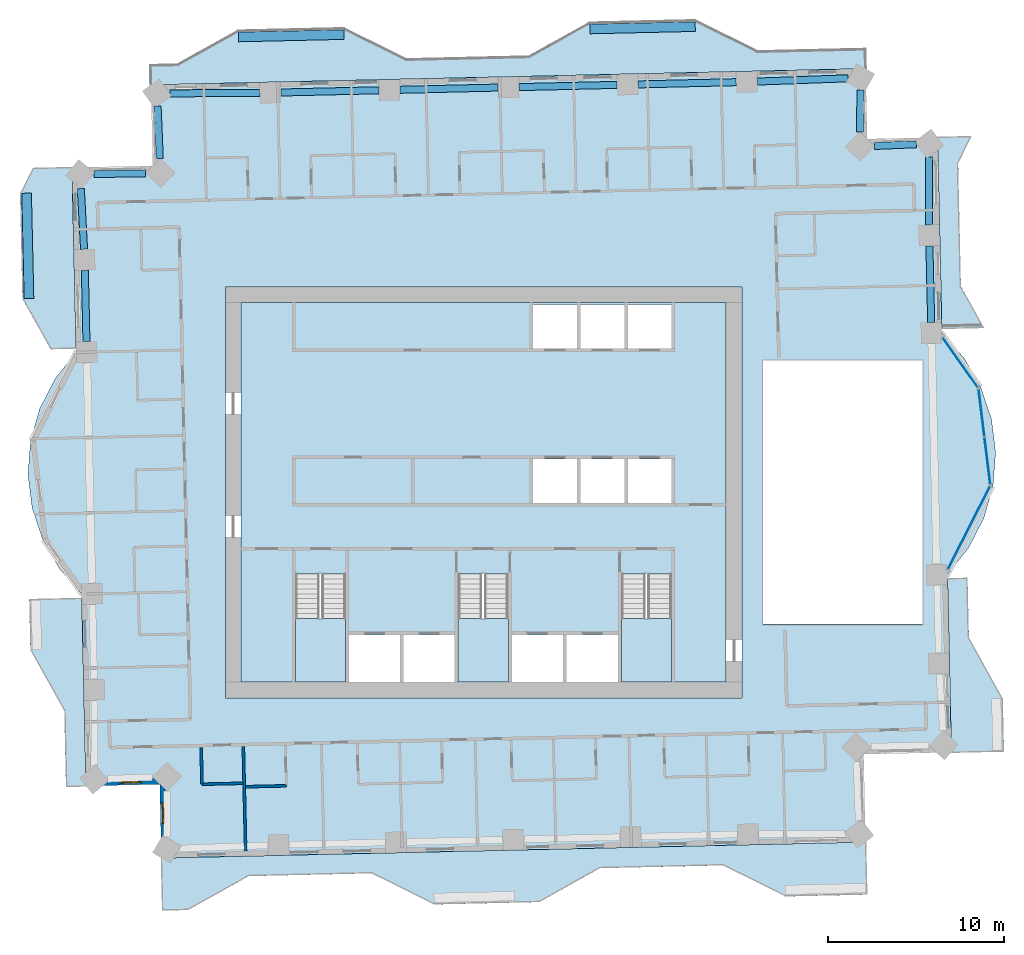
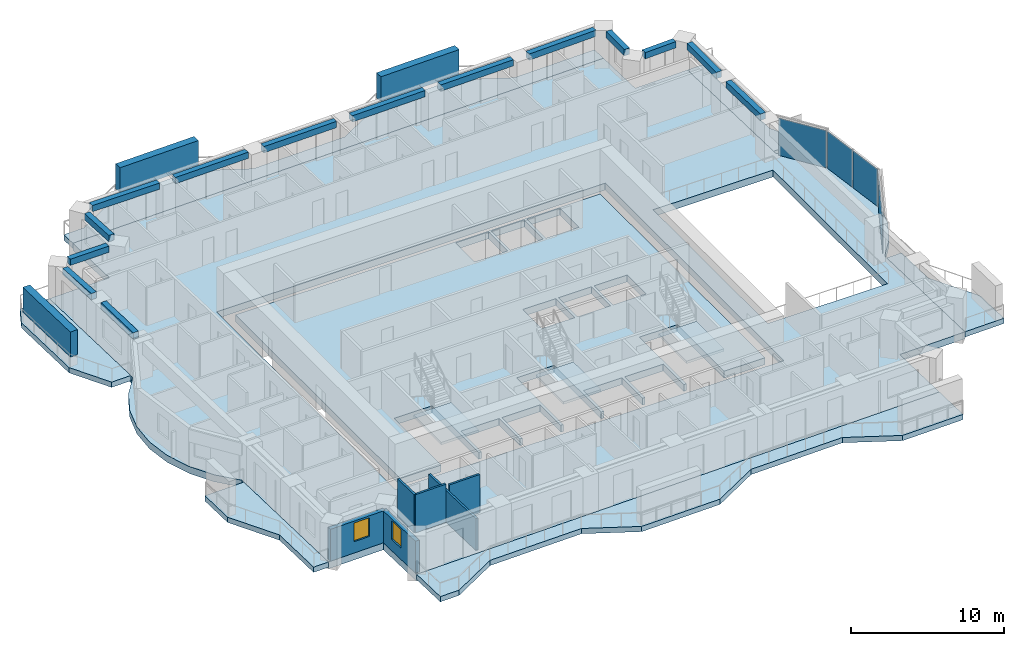
# One storey, part 3 of 14: 14 beams, 11 slabs, 6 walls, 4 plates, 3 members, 2 windows, 2 openings, 6 elements without a shape of their own.
"""IFC4 building model written with IfcOpenShell, lengths in metres."""

from ifc_helpers import new_model, si_unit, direction, frame, frame_2d, origin, origin_2d, place, context, subcontext, project, spatial, polyline, rectangle, outline, extrude, material, layer, layer_set, material_profile, profile_set, type_object, element, fill, aggregate, save


model = new_model("IFC4")

# Units and contexts
model_context = context("Model", 3, precision=1e-05, world=origin(), true_north=direction((0.0, 1.0)))
body_context = subcontext(model_context, "Body", "Model", "MODEL_VIEW")
ifc_project = project(units=[si_unit("LENGTHUNIT", "METRE"), si_unit("AREAUNIT", "SQUARE_METRE"), si_unit("VOLUMEUNIT", "CUBIC_METRE"), si_unit("PLANEANGLEUNIT", "RADIAN"), si_unit("MASSUNIT", "GRAM", prefix="KILO")], contexts=[model_context])

# Site, building, storey
site_placement = place(None, origin())
site = spatial("IfcSite", under=ifc_project, at=site_placement, CompositionType="ELEMENT")
building_placement = place(site_placement, origin())
building = spatial("IfcBuilding", under=site, at=building_placement, Name="Mangrove Gate Tower", CompositionType="ELEMENT")
storey_placement = place(building_placement, frame((0.0, 0.0, 186.10009765625)))
storey = spatial("IfcBuildingStorey", under=building, at=storey_placement, Name="L47", CompositionType="ELEMENT", Elevation=186.10009765625)

# Members
ifc_material_1 = material(Name="Planting on aluminium trellis", Category="aluminium")
ifc_material_profile_1 = material_profile(ifc_material_1, rectangle(XDim=0.550048828125, YDim=2.0, at=origin_2d()))
ifc_profile_set_1 = profile_set([ifc_material_profile_1], Name="Planting on aluminium trellis")
member_type = type_object("IfcMemberType", Name="Balcony greenery screen 550x2000", PredefinedType="USERDEFINED", material=ifc_profile_set_1)
member_1_placement = place(storey_placement, frame((6.0400390625, 26.3720703125, 1.7998046875), z_axis=(0.999743094499, 0.022665943652, 0.0), x_axis=(-0.022665943652, 0.999743094499, 0.0)))
element("IfcMember", 1, at=member_1_placement, inside=storey, type_object=member_type, Name="GREEN SCREEN L47 N0.1", ObjectType="PLANTING", PredefinedType="USERDEFINED", context=body_context, shape_type="SweptSolid", body=[
    extrude(rectangle(XDim=0.550048828125, YDim=2.0, at=origin_2d()), origin(), (0.0, 0.0, 1.0), 5.99951171875),
])
member_2_placement = place(storey_placement, frame((-13.955078125, 25.91796875, 1.7998046875), z_axis=(0.999743178102, 0.022662255828, 0.0), x_axis=(-0.022662255828, 0.999743178102, 0.0)))
element("IfcMember", 2, at=member_2_placement, inside=storey, type_object=member_type, Name="GREEN SCREEN L47 N1.1", ObjectType="PLANTING", PredefinedType="USERDEFINED", context=body_context, shape_type="SweptSolid", body=[
    extrude(rectangle(XDim=0.550048828125, YDim=2.0, at=origin_2d()), origin(), (0.0, 0.0, 1.0), 6.00048828125),
])
member_3_placement = place(storey_placement, frame((-25.875, 11.029052734375, 1.7998046875), z_axis=(-0.022665943652, 0.999743094499, 0.0), x_axis=(-0.999743094499, -0.022665943652, 0.0)))
element("IfcMember", 3, at=member_3_placement, inside=storey, type_object=member_type, Name="GREEN SCREEN L47 W0.1", ObjectType="PLANTING", PredefinedType="USERDEFINED", context=body_context, shape_type="SweptSolid", body=[
    extrude(rectangle(XDim=0.550048828125, YDim=2.0, at=origin_2d()), origin(), (0.0, 0.0, 1.0), 5.99951171875),
])

# Beams
ifc_material_2 = material(Name="Concrete C50/60", Category="concrete")
ifc_material_profile_2 = material_profile(ifc_material_2, rectangle(XDim=0.39990234375, YDim=0.5, at=origin_2d()))
ifc_profile_set_2 = profile_set([ifc_material_profile_2], Name="Concrete C50/60")
beam_type = type_object("IfcBeamType", Name="Edge beam RC 400x500 C50/60", PredefinedType="BEAM", material=ifc_profile_set_2)
beam_1_placement = place(storey_placement, frame((25.46435546875, 9.669189453125, 2.7998046875), z_axis=(-0.022838386415, 0.999739170037, 0.0), x_axis=(-0.999739170037, -0.022838386415, 0.0)))
element("IfcBeam", 4, at=beam_1_placement, inside=storey, type_object=beam_type, Name="Edge beam L47 15", PredefinedType="BEAM", context=body_context, shape_type="SweptSolid", body=[
    extrude(rectangle(XDim=0.39990234375, YDim=0.5, at=origin_2d()), origin(), (0.0, 0.0, 1.0), 4.361572265625),
])
beam_2_placement = place(storey_placement, frame((25.3505859375, 15.2294921875, 2.7998046875), z_axis=(-0.001011377485, 0.999999488558, 0.0), x_axis=(-0.999999488558, -0.001011377485, 0.0)))
element("IfcBeam", 5, at=beam_2_placement, inside=storey, type_object=beam_type, Name="Edge beam L47 16", PredefinedType="BEAM", context=body_context, shape_type="SweptSolid", body=[
    extrude(rectangle(XDim=0.39990234375, YDim=0.5, at=origin_2d()), origin(), (0.0, 0.0, 1.0), 3.8623046875),
])
beam_3_placement = place(storey_placement, frame((24.6171875, 19.812744140625, 2.7998046875), z_axis=(-0.999146203439, -0.041314212485, 0.0), x_axis=(0.041314212485, -0.999146203439, 0.0)))
element("IfcBeam", 6, at=beam_3_placement, inside=storey, type_object=beam_type, Name="Edge beam L47 17", PredefinedType="BEAM", context=body_context, shape_type="SweptSolid", body=[
    extrude(rectangle(XDim=0.39990234375, YDim=0.5, at=origin_2d()), origin(), (0.0, 0.0, 1.0), 2.37548828125),
])
beam_4_placement = place(storey_placement, frame((21.41796875, 20.50390625, 2.7998046875), z_axis=(0.008133945451, 0.999966918919, 0.0), x_axis=(-0.999966918919, 0.008133945451, 0.0)))
element("IfcBeam", 7, at=beam_4_placement, inside=storey, type_object=beam_type, Name="Edge beam L47 18", PredefinedType="BEAM", context=body_context, shape_type="SweptSolid", body=[
    extrude(rectangle(XDim=0.39990234375, YDim=0.5, at=origin_2d()), origin(), (0.0, 0.0, 1.0), 2.401123046875),
])
beam_5_placement = place(storey_placement, frame((20.741455078125, 23.564453125, 2.7998046875), z_axis=(-0.99936699483, -0.03557540787, 0.0), x_axis=(0.03557540787, -0.99936699483, 0.0)))
element("IfcBeam", 8, at=beam_5_placement, inside=storey, type_object=beam_type, Name="Edge beam L47 19", PredefinedType="BEAM", context=body_context, shape_type="SweptSolid", body=[
    extrude(rectangle(XDim=0.39990234375, YDim=0.5, at=origin_2d()), origin(), (0.0, 0.0, 1.0), 5.17431640625),
])
for number, where, z_axis, x_axis, name in (
    (9, (14.370849609375, 23.345458984375, 2.7998046875), (-0.999742129115, -0.022708484617, 0.0), (0.022708484617, -0.999742129115, 0.0), "Edge beam L47 20"),
    (10, (7.5927734375, 23.19140625, 2.7998046875), (-0.999742129115, -0.022708484617, 0.0), (0.022708484617, -0.999742129115, 0.0), "Edge beam L47 21"),
    (11, (0.814697265625, 23.03759765625, 2.7998046875), (-0.999742129115, -0.022708484617, 0.0), (0.022708484617, -0.999742129115, 0.0), "Edge beam L47 22"),
):
    element("IfcBeam", number, at=place(storey_placement, frame(where, z_axis=z_axis, x_axis=x_axis)), inside=storey, type_object=beam_type, Name=name, PredefinedType="BEAM", context=body_context, shape_type="SweptSolid", body=[
        extrude(rectangle(XDim=0.39990234375, YDim=0.5, at=origin_2d()), origin(), (0.0, 0.0, 1.0), 5.579833984375),
    ])
beam_6_placement = place(storey_placement, frame((-5.96337890625, 22.883544921875, 2.7998046875), z_axis=(-0.999746153815, -0.022530599913, 0.0), x_axis=(0.022530599913, -0.999746153815, 0.0)))
element("IfcBeam", 12, at=beam_6_placement, inside=storey, type_object=beam_type, Name="Edge beam L47 23", PredefinedType="BEAM", context=body_context, shape_type="SweptSolid", body=[
    extrude(rectangle(XDim=0.39990234375, YDim=0.5, at=origin_2d()), origin(), (0.0, 0.0, 1.0), 5.58056640625),
])
beam_7_placement = place(storey_placement, frame((-12.742431640625, 22.740234375, 2.7998046875), z_axis=(-0.999977633911, -0.006688174505, 0.0), x_axis=(0.006688174505, -0.999977633911, 0.0)))
element("IfcBeam", 13, at=beam_7_placement, inside=storey, type_object=beam_type, Name="Edge beam L47 24", PredefinedType="BEAM", context=body_context, shape_type="SweptSolid", body=[
    extrude(rectangle(XDim=0.39990234375, YDim=0.5, at=origin_2d()), origin(), (0.0, 0.0, 1.0), 5.1103515625),
])
beam_8_placement = place(storey_placement, frame((-18.555908203125, 21.986083984375, 2.7998046875), z_axis=(0.041862254273, -0.999123391612, 0.0), x_axis=(0.999123391612, 0.041862254273, 0.0)))
element("IfcBeam", 14, at=beam_8_placement, inside=storey, type_object=beam_type, Name="Edge beam L47 25", PredefinedType="BEAM", context=body_context, shape_type="SweptSolid", body=[
    extrude(rectangle(XDim=0.39990234375, YDim=0.5, at=origin_2d()), origin(), (0.0, 0.0, 1.0), 2.980224609375),
])
beam_9_placement = place(storey_placement, frame((-19.2392578125, 18.162841796875, 2.7998046875), z_axis=(-0.999868543092, -0.016214084483, 0.0), x_axis=(0.016214084483, -0.999868543092, 0.0)))
element("IfcBeam", 15, at=beam_9_placement, inside=storey, type_object=beam_type, Name="Edge beam L47 26", PredefinedType="BEAM", context=body_context, shape_type="SweptSolid", body=[
    extrude(rectangle(XDim=0.39990234375, YDim=0.5, at=origin_2d()), origin(), (0.0, 0.0, 1.0), 2.936279296875),
])
beam_10_placement = place(storey_placement, frame((-22.924072265625, 17.28466796875, 2.7998046875), z_axis=(0.053067610798, -0.998590921591, 0.0), x_axis=(0.998590921591, 0.053067610798, 0.0)))
element("IfcBeam", 16, at=beam_10_placement, inside=storey, type_object=beam_type, Name="Edge beam L47 27", PredefinedType="BEAM", context=body_context, shape_type="SweptSolid", body=[
    extrude(rectangle(XDim=0.39990234375, YDim=0.5, at=origin_2d()), origin(), (0.0, 0.0, 1.0), 3.450439453125),
])
beam_11_placement = place(storey_placement, frame((-22.695556640625, 12.6396484375, 2.7998046875), z_axis=(0.022597173963, -0.999744651263, 0.0), x_axis=(0.999744651263, 0.022597173963, 0.0)))
element("IfcBeam", 17, at=beam_11_placement, inside=storey, type_object=beam_type, Name="Edge beam L47 28", PredefinedType="BEAM", context=body_context, shape_type="SweptSolid", body=[
    extrude(rectangle(XDim=0.39990234375, YDim=0.5, at=origin_2d()), origin(), (0.0, 0.0, 1.0), 4.062255859375),
])

# Curtain wall, plate
ifc_material_3 = material(Name="Aluminium and glass curtain wall", Category="aluminium")
curtain_wall_type = type_object("IfcCurtainWallType", Name="Atrium garden-court glazing wall", PredefinedType="NOTDEFINED", material=ifc_material_3)
curtain_wall_1_placement = place(storey_placement, origin())
curtain_wall_1 = element("IfcCurtainWall", 18, at=curtain_wall_1_placement, inside=storey, type_object=curtain_wall_type, Name="Atrium garden-court glazing E1f1", PredefinedType="NOTDEFINED")
ifc_material_4 = material(Name="Laminated low-e glass", Category="glass")
ifc_layer_1 = layer(ifc_material_4, 0.031982421875)
ifc_layer_set_1 = layer_set([ifc_layer_1], Name="Atrium garden-court glazing panel 32")
plate_type = type_object("IfcPlateType", Name="Atrium garden-court glazing panel 32", PredefinedType="CURTAIN_PANEL", material=ifc_layer_set_1)
plate_1_placement = place(storey_placement, frame((27.61572265625, -2.01220703125, 0.0), z_axis=(0.0, 0.0, 1.0), x_axis=(0.452578247326, 0.891724694089, 0.0)))
plate_1 = element("IfcPlate", 19, at=plate_1_placement, type_object=plate_type, Name="CWA panel 1.1", PredefinedType="CURTAIN_PANEL", context=body_context, shape_type="SweptSolid", body=[
    extrude(rectangle(XDim=5.25732421875, YDim=0.031982421875, at=origin_2d()), origin(), (0.0, 0.0, 1.0), 2.97998046875),
])
aggregate(curtain_wall_1, [plate_1])

# Curtain wall, plates
curtain_wall_2_placement = place(storey_placement, origin())
curtain_wall_2 = element("IfcCurtainWall", 20, at=curtain_wall_2_placement, inside=storey, type_object=curtain_wall_type, Name="Atrium garden-court glazing E1f2", PredefinedType="NOTDEFINED")
plate_2_placement = place(storey_placement, frame((28.664794921875, 1.79443359375, 0.0), z_axis=(0.0, 0.0, 1.0), x_axis=(-0.122172286076, 0.992508908028, 0.0)))
plate_2 = element("IfcPlate", 21, at=plate_2_placement, type_object=plate_type, Name="CWA panel 1.1", PredefinedType="CURTAIN_PANEL", context=body_context, shape_type="SweptSolid", body=[
    extrude(rectangle(XDim=2.681640625, YDim=0.031982421875, at=origin_2d()), origin(), (0.0, 0.0, 1.0), 2.97998046875),
])
plate_3_placement = place(storey_placement, frame((28.32861328125, 4.525634765625, 0.0), z_axis=(0.0, 0.0, 1.0), x_axis=(-0.122172286076, 0.992508908028, 0.0)))
plate_3 = element("IfcPlate", 22, at=plate_3_placement, type_object=plate_type, Name="CWA panel 2.1", PredefinedType="CURTAIN_PANEL", context=body_context, shape_type="SweptSolid", body=[
    extrude(rectangle(XDim=2.681640625, YDim=0.031982421875, at=origin_2d()), origin(), (0.0, 0.0, 1.0), 2.97998046875),
])
aggregate(curtain_wall_2, [plate_2, plate_3])

# Curtain wall, plate
curtain_wall_3_placement = place(storey_placement, origin())
curtain_wall_3 = element("IfcCurtainWall", 23, at=curtain_wall_3_placement, inside=storey, type_object=curtain_wall_type, Name="Atrium garden-court glazing E1f3", PredefinedType="NOTDEFINED")
plate_4_placement = place(storey_placement, frame((27.125, 7.381591796875, 0.0), z_axis=(0.0, 0.0, 1.0), x_axis=(-0.578106334278, 0.815961436753, 0.0)))
plate_4 = element("IfcPlate", 24, at=plate_4_placement, type_object=plate_type, Name="CWA panel 1.1", PredefinedType="CURTAIN_PANEL", context=body_context, shape_type="SweptSolid", body=[
    extrude(rectangle(XDim=3.427978515625, YDim=0.031982421875, at=origin_2d()), origin(), (0.0, 0.0, 1.0), 2.97998046875),
])
aggregate(curtain_wall_3, [plate_4])

# Slabs
ifc_material_5 = material(Name="Porcelain tile")
ifc_layer_2 = layer(ifc_material_5, 0.02001953125, Name="Tile finish")
ifc_material_6 = material(Name="Cement sand screed")
ifc_layer_3 = layer(ifc_material_6, 0.0400390625, Name="Screed laid to falls")
ifc_material_7 = material(Name="Bituminous waterproofing membrane")
ifc_layer_4 = layer(ifc_material_7, 0.00390625, Name="Waterproofing")
ifc_material_8 = material(Name="Concrete C40/50", Category="concrete")
ifc_layer_5 = layer(ifc_material_8, 0.340087890625, Name="Balcony structural slab")
ifc_material_9 = material(Name="Limestone", Category="masonry")
ifc_layer_6 = layer(ifc_material_9, 0.01611328125, Name="Soffit lining")
ifc_layer_set_2 = layer_set([ifc_layer_2, ifc_layer_3, ifc_layer_4, ifc_layer_5, ifc_layer_6], Name="Balcony slab 420 C40/50")
slab_type_1 = type_object("IfcSlabType", Name="Balcony slab 420 C40/50", PredefinedType="FLOOR", material=ifc_layer_set_2)
slab_1_placement = place(storey_placement, frame((0.0, 0.0, -0.420166015625)))
element("IfcSlab", 25, at=slab_1_placement, inside=storey, type_object=slab_type_1, Name="BALCONY L47 E0", PredefinedType="FLOOR", context=body_context, shape_type="SweptSolid", body=[
    extrude(outline(polyline([(29.60888671875, -14.718994140625), (29.541015625, -11.719970703125), (27.612060546875, -8.261962890625), (27.534912109375, -4.888916015625), (26.39501953125, -4.9140625), (26.471923828125, -8.2880859375), (26.551025390625, -11.787109375), (26.618896484375, -14.787109375), (29.60888671875, -14.718994140625)])), origin(), (0.0, 0.0, 1.0), 0.420166015625),
])
slab_2_placement = place(storey_placement, frame((0.0, 0.0, -0.420166015625)))
element("IfcSlab", 26, at=slab_2_placement, inside=storey, type_object=slab_type_1, Name="BALCONY L47 E1", PredefinedType="FLOOR", context=body_context, shape_type="SweptSolid", body=[
    extrude(outline(polyline([(28.467041015625, 9.386962890625), (27.157958984375, 11.73193359375), (26.9990234375, 18.73095703125), (27.758056640625, 20.248046875), (25.824951171875, 20.2041015625), (25.85888671875, 18.705078125), (26.01806640625, 11.70703125), (26.072021484375, 9.3330078125), (28.467041015625, 9.386962890625)])), origin(), (0.0, 0.0, 1.0), 0.420166015625),
])
slab_3_placement = place(storey_placement, frame((0.0, 0.0, -0.420166015625)))
element("IfcSlab", 27, at=slab_3_placement, inside=storey, type_object=slab_type_1, Name="BALCONY L47 N0", PredefinedType="FLOOR", context=body_context, shape_type="SweptSolid", body=[
    extrude(outline(polyline([(21.7099609375, 25.251953125), (15.571044921875, 25.113037109375), (12.030029296875, 26.883056640625), (6.031982421875, 26.7470703125), (2.574951171875, 24.818115234375), (-4.424072265625, 24.659912109375), (-7.965087890625, 26.428955078125), (-13.962890625, 26.29296875), (-17.419921875, 24.364013671875), (-18.9599609375, 24.3291015625), (-18.93408203125, 23.18994140625), (21.736083984375, 24.113037109375), (21.7099609375, 25.251953125)])), origin(), (0.0, 0.0, 1.0), 0.420166015625),
])
slab_4_placement = place(storey_placement, frame((0.0, 0.0, -0.420166015625)))
element("IfcSlab", 28, at=slab_4_placement, inside=storey, type_object=slab_type_1, Name="BALCONY L47 W0", PredefinedType="FLOOR", context=body_context, shape_type="SweptSolid", body=[
    extrude(outline(polyline([(-25.677978515625, 18.43505859375), (-26.385986328125, 17.01904296875), (-26.25, 11.02099609375), (-24.6650390625, 8.180908203125), (-23.195068359375, 8.214111328125), (-23.260986328125, 11.087890625), (-23.39697265625, 17.0869140625), (-23.427978515625, 18.487060546875), (-25.677978515625, 18.43505859375)])), origin(), (0.0, 0.0, 1.0), 0.420166015625),
])
slab_5_placement = place(storey_placement, frame((0.0, 0.0, -0.420166015625)))
element("IfcSlab", 29, at=slab_5_placement, inside=storey, type_object=slab_type_1, Name="BALCONY L47 W1", PredefinedType="FLOOR", context=body_context, shape_type="SweptSolid", body=[
    extrude(outline(polyline([(-25.861083984375, -6.10009765625), (-25.7958984375, -8.97412109375), (-23.866943359375, -12.430908203125), (-23.77001953125, -16.72998046875), (-22.6298828125, -16.7041015625), (-22.72705078125, -12.406005859375), (-22.806884765625, -8.906005859375), (-22.8720703125, -6.032958984375), (-25.861083984375, -6.10009765625)])), origin(), (0.0, 0.0, 1.0), 0.420166015625),
])
slab_6_placement = place(storey_placement, frame((0.0, 0.0, -0.420166015625)))
element("IfcSlab", 30, at=slab_6_placement, inside=storey, type_object=slab_type_1, Name="BALCONY L47 S0", PredefinedType="FLOOR", context=body_context, shape_type="SweptSolid", body=[
    extrude(outline(polyline([(-18.26806640625, -23.797119140625), (-16.827880859375, -23.764892578125), (-13.37109375, -21.8359375), (-6.373046875, -21.677001953125), (-2.83203125, -23.447021484375), (3.1669921875, -23.31103515625), (6.6240234375, -21.382080078125), (13.6220703125, -21.22412109375), (17.1630859375, -22.992919921875), (21.802001953125, -22.887939453125), (21.73388671875, -19.89892578125), (-18.3359375, -20.80810546875), (-18.26806640625, -23.797119140625)])), origin(), (0.0, 0.0, 1.0), 0.420166015625),
])
ifc_material_10 = material(Name="Concrete C40/50", Category="concrete")
ifc_layer_7 = layer(ifc_material_10, 0.550048828125)
ifc_layer_set_3 = layer_set([ifc_layer_7], Name="Core floor slab 550 C40/50")
slab_type_2 = type_object("IfcSlabType", Name="Core floor slab 550 C40/50", PredefinedType="FLOOR", material=ifc_layer_set_3)
slab_7_placement = place(storey_placement, frame((0.0, 0.0, -0.550048828125)))
element("IfcSlab", 31, at=slab_7_placement, inside=storey, type_object=slab_type_2, Name="SLAB-L47-CORE-1", PredefinedType="FLOOR", context=body_context, shape_type="SweptSolid", body=[
    extrude(outline(polyline([(-13.800048828125, -10.800048828125), (-13.800048828125, 10.800048828125), (13.800048828125, 10.800048828125), (13.800048828125, -10.800048828125), (10.699951171875, -10.800048828125), (10.699951171875, -4.653076171875), (7.85009765625, -4.653076171875), (7.85009765625, -10.800048828125), (7.64990234375, -10.800048828125), (7.64990234375, -8.10009765625), (4.72509765625, -8.10009765625), (4.72509765625, -10.800048828125), (4.52490234375, -10.800048828125), (4.52490234375, -8.10009765625), (1.60009765625, -8.10009765625), (1.60009765625, -10.800048828125), (1.39990234375, -10.800048828125), (1.39990234375, -4.653076171875), (-1.449951171875, -4.653076171875), (-1.449951171875, -10.800048828125), (-1.64990234375, -10.800048828125), (-1.64990234375, -8.10009765625), (-4.550048828125, -8.10009765625), (-4.550048828125, -10.800048828125), (-4.75, -10.800048828125), (-4.75, -8.10009765625), (-7.64990234375, -8.10009765625), (-7.64990234375, -10.800048828125), (-7.85009765625, -10.800048828125), (-7.85009765625, -4.653076171875), (-10.699951171875, -4.653076171875), (-10.699951171875, -10.800048828125), (-13.800048828125, -10.800048828125)]), holes=[polyline([(5.300048828125, -0.60009765625), (5.300048828125, 1.89990234375), (2.800048828125, 1.89990234375), (2.800048828125, -0.60009765625), (5.300048828125, -0.60009765625)]), polyline([(5.300048828125, 10.699951171875), (2.800048828125, 10.699951171875), (2.800048828125, 8.199951171875), (5.300048828125, 8.199951171875), (5.300048828125, 10.699951171875)]), polyline([(8.0, -0.60009765625), (8.0, 1.89990234375), (5.5, 1.89990234375), (5.5, -0.60009765625), (8.0, -0.60009765625)]), polyline([(10.699951171875, -0.60009765625), (10.699951171875, 1.89990234375), (8.199951171875, 1.89990234375), (8.199951171875, -0.60009765625), (10.699951171875, -0.60009765625)]), polyline([(8.0, 8.199951171875), (8.0, 10.699951171875), (5.5, 10.699951171875), (5.5, 8.199951171875), (8.0, 8.199951171875)]), polyline([(10.699951171875, 8.199951171875), (10.699951171875, 10.699951171875), (8.199951171875, 10.699951171875), (8.199951171875, 8.199951171875), (10.699951171875, 8.199951171875)])]), origin(), (0.0, 0.0, 1.0), 0.550048828125),
])

# Stair, slab
ifc_material_11 = material(Name="Concrete C40/50", Category="concrete")
stair_type = type_object("IfcStairType", Name="Core stair 1350", PredefinedType="HALF_TURN_STAIR", material=ifc_material_11)
stair_1_placement = place(storey_placement, origin())
stair_1 = element("IfcStair", 32, at=stair_1_placement, inside=storey, type_object=stair_type, Name="L47 Stair 1", PredefinedType="HALF_TURN_STAIR")
ifc_material_12 = material(Name="Concrete C40/50", Category="concrete")
ifc_layer_8 = layer(ifc_material_12, 0.199951171875)
ifc_layer_set_4 = layer_set([ifc_layer_8], Name="Core stair landing 200")
slab_type_3 = type_object("IfcSlabType", Name="Core stair landing 200", PredefinedType="LANDING", material=ifc_layer_set_4)
slab_8_placement = place(storey_placement, frame((0.0, 0.0, 1.599853515625)))
slab_8 = element("IfcSlab", 33, at=slab_8_placement, type_object=slab_type_3, Name="ST1 landing 1", PredefinedType="LANDING", context=body_context, shape_type="SweptSolid", body=[
    extrude(outline(polyline([(-10.699951171875, -7.169921875), (-10.699951171875, -10.800048828125), (-7.85009765625, -10.800048828125), (-7.85009765625, -7.169921875), (-10.699951171875, -7.169921875)])), origin(), (0.0, 0.0, 1.0), 0.199951171875),
])
aggregate(stair_1, [slab_8])

stair_2_placement = place(storey_placement, origin())
stair_2 = element("IfcStair", 34, at=stair_2_placement, inside=storey, type_object=stair_type, Name="L47 Stair 2", PredefinedType="HALF_TURN_STAIR")
slab_9_placement = place(storey_placement, frame((0.0, 0.0, 1.599853515625)))
slab_9 = element("IfcSlab", 35, at=slab_9_placement, type_object=slab_type_3, Name="ST2 landing 1", PredefinedType="LANDING", context=body_context, shape_type="SweptSolid", body=[
    extrude(outline(polyline([(-1.449951171875, -7.169921875), (-1.449951171875, -10.800048828125), (1.39990234375, -10.800048828125), (1.39990234375, -7.169921875), (-1.449951171875, -7.169921875)])), origin(), (0.0, 0.0, 1.0), 0.199951171875),
])
aggregate(stair_2, [slab_9])

stair_3_placement = place(storey_placement, origin())
stair_3 = element("IfcStair", 36, at=stair_3_placement, inside=storey, type_object=stair_type, Name="L47 Stair 3", PredefinedType="HALF_TURN_STAIR")
slab_10_placement = place(storey_placement, frame((0.0, 0.0, 1.599853515625)))
slab_10 = element("IfcSlab", 37, at=slab_10_placement, type_object=slab_type_3, Name="ST3 landing 1", PredefinedType="LANDING", context=body_context, shape_type="SweptSolid", body=[
    extrude(outline(polyline([(7.85009765625, -7.169921875), (7.85009765625, -10.800048828125), (10.699951171875, -10.800048828125), (10.699951171875, -7.169921875), (7.85009765625, -7.169921875)])), origin(), (0.0, 0.0, 1.0), 0.199951171875),
])
aggregate(stair_3, [slab_10])

# Slab
ifc_material_13 = material(Name="Concrete C40/50", Category="concrete")
ifc_layer_9 = layer(ifc_material_13, 0.550048828125)
ifc_layer_set_5 = layer_set([ifc_layer_9], Name="Floor slab 550 C40/50")
slab_type_4 = type_object("IfcSlabType", Name="Floor slab 550 C40/50", PredefinedType="FLOOR", material=ifc_layer_set_5)
slab_11_placement = place(storey_placement, frame((0.0, 0.0, -0.550048828125)))
element("IfcSlab", 38, at=slab_11_placement, inside=storey, type_object=slab_type_4, Name="Floor slab L47", PredefinedType="FLOOR", context=body_context, shape_type="SweptSolid", body=[
    extrude(outline(polyline([(-18.335693359375, -20.80810546875), (21.734130859375, -19.898681640625), (21.62060546875, -14.900146484375), (26.619384765625, -14.78662109375), (26.3896484375, -4.66455078125), (27.586181640625, -3.172119140625), (28.463134765625, -1.472412109375), (28.985595703125, 0.36767578125), (29.1328125, 2.27490234375), (28.899169921875, 4.17333984375), (28.293701171875, 5.98779296875), (27.340576171875, 7.64599609375), (26.07763671875, 9.08251953125), (25.8251953125, 20.204345703125), (21.826416015625, 20.113525390625), (21.735595703125, 24.112548828125), (-18.93408203125, 23.189697265625), (-18.82958984375, 18.5908203125), (-23.428466796875, 18.486572265625), (-23.189697265625, 7.964599609375), (-24.38623046875, 6.47216796875), (-25.26318359375, 4.772216796875), (-25.78564453125, 2.932373046875), (-25.932861328125, 1.025146484375), (-25.69921875, -0.873291015625), (-25.09375, -2.687744140625), (-24.140625, -4.345947265625), (-22.877685546875, -5.782470703125), (-22.6298828125, -16.704345703125), (-18.430908203125, -16.609130859375), (-18.335693359375, -20.80810546875)]), holes=[polyline([(15.89990234375, 7.5), (24.964111328125, 7.5), (24.964111328125, -7.5), (15.89990234375, -7.5), (15.89990234375, 7.5)]), polyline([(-14.699951171875, -11.699951171875), (-14.699951171875, 11.699951171875), (14.699951171875, 11.699951171875), (14.699951171875, -11.699951171875), (-14.699951171875, -11.699951171875)])]), origin(), (0.0, 0.0, 1.0), 0.550048828125),
])

# Wall, opening, window
ifc_layer_10 = layer(ifc_material_9, 0.0400390625, Name="Limestone cladding")
ifc_material_14 = material(Name="Ventilated air gap")
ifc_layer_11 = layer(ifc_material_14, 0.0400390625, Name="Ventilated cavity")
ifc_material_15 = material(Name="Mineral wool insulation")
ifc_layer_12 = layer(ifc_material_15, 0.06005859375, Name="Insulation")
ifc_material_16 = material(Name="Breather membrane")
ifc_layer_13 = layer(ifc_material_16, 0.001953125, Name="Breather membrane")
ifc_material_17 = material(Name="Concrete C20/25 blockwork", Category="masonry")
ifc_layer_14 = layer(ifc_material_17, 0.14990234375, Name="Blockwork backing wall")
ifc_material_18 = material(Name="Gypsum plaster")
ifc_layer_15 = layer(ifc_material_18, 0.008056640625, Name="Internal plaster")
ifc_layer_set_6 = layer_set([ifc_layer_10, ifc_layer_11, ifc_layer_12, ifc_layer_13, ifc_layer_14, ifc_layer_15], Name="External wall 300 limestone cladding")
wall_type_1 = type_object("IfcWallType", Name="External wall 300 limestone cladding", PredefinedType="SOLIDWALL", material=ifc_layer_set_6)
wall_1_placement = place(storey_placement, frame((-22.48291015625, -16.551025390625, 0.0), z_axis=(0.0, 0.0, 1.0), x_axis=(0.999744320311, 0.022611811187, 0.0)))
wall_1 = element("IfcWall", 39, at=wall_1_placement, inside=storey, type_object=wall_type_1, Name="WALL-L47-S11", PredefinedType="SOLIDWALL", context=body_context, shape_type="SweptSolid", body=[
    extrude(rectangle(XDim=4.199951171875, YDim=0.300048828125, at=frame_2d((2.10009765625, 0.0))), origin(), (0.0, 0.0, 1.0), 2.5498046875),
])
opening_1_placement = place(wall_1_placement, frame((1.7958984375, 0.0, 0.89990234375)))
opening_1 = element("IfcOpeningElement", 40, at=opening_1_placement, cuts=wall_1, Name="Opening W1", PredefinedType="OPENING", context=body_context, shape_type="SweptSolid", body=[
    extrude(rectangle(XDim=1.199951171875, YDim=1.5, at=frame_2d((0.60009765625, 0.75))), frame((0.0, 0.159912109375, 0.0), z_axis=(0.0, -1.0, 0.0), x_axis=(1.0, 0.0, 0.0)), (0.0, 0.0, 1.0), 0.320068359375),
])
ifc_material_19 = material(Name="Aluminium frame with double-glazed low-e glass", Category="aluminium")
window_type = type_object("IfcWindowType", Name="Side lite 1200x1500", PartitioningType="SINGLE_PANEL", PredefinedType="WINDOW", material=ifc_material_19)
window_1_placement = place(opening_1_placement, origin())
window_1 = element("IfcWindow", 41, at=window_1_placement, inside=storey, type_object=window_type, Name="WIN-L47-S11-1", OverallHeight=1.5, OverallWidth=1.199951171875, PartitioningType="SINGLE_PANEL", PredefinedType="WINDOW", context=body_context, shape_type="SweptSolid", body=[
    extrude(rectangle(XDim=1.199951171875, YDim=1.5, at=frame_2d((0.60009765625, 0.75))), frame((0.0, 0.030029296875, 0.0), z_axis=(0.0, -1.0, 0.0), x_axis=(1.0, 0.0, 0.0)), (0.0, 0.0, 1.0), 0.06005859375),
])
fill(opening_1, window_1)

wall_2_placement = place(storey_placement, frame((-18.283935546875, -16.4560546875, 0.0), z_axis=(0.0, 0.0, 1.0), x_axis=(0.022611811187, -0.999744320311, 0.0)))
wall_2 = element("IfcWall", 42, at=wall_2_placement, inside=storey, type_object=wall_type_1, Name="WALL-L47-W12", PredefinedType="SOLIDWALL", context=body_context, shape_type="SweptSolid", body=[
    extrude(rectangle(XDim=4.199951171875, YDim=0.300048828125, at=frame_2d((2.10009765625, 0.0))), origin(), (0.0, 0.0, 1.0), 2.5498046875),
])
opening_2_placement = place(wall_2_placement, frame((1.194091796875, 0.0, 0.89990234375)))
opening_2 = element("IfcOpeningElement", 43, at=opening_2_placement, cuts=wall_2, Name="Opening W1", PredefinedType="OPENING", context=body_context, shape_type="SweptSolid", body=[
    extrude(rectangle(XDim=1.199951171875, YDim=1.5, at=frame_2d((0.60009765625, 0.75))), frame((0.0, 0.159912109375, 0.0), z_axis=(0.0, -1.0, 0.0), x_axis=(1.0, 0.0, 0.0)), (0.0, 0.0, 1.0), 0.320068359375),
])
window_2_placement = place(opening_2_placement, origin())
window_2 = element("IfcWindow", 44, at=window_2_placement, inside=storey, type_object=window_type, Name="WIN-L47-W12-1", OverallHeight=1.5, OverallWidth=1.199951171875, PartitioningType="SINGLE_PANEL", PredefinedType="WINDOW", context=body_context, shape_type="SweptSolid", body=[
    extrude(rectangle(XDim=1.199951171875, YDim=1.5, at=frame_2d((0.60009765625, 0.75))), frame((0.0, 0.030029296875, 0.0), z_axis=(0.0, -1.0, 0.0), x_axis=(1.0, 0.0, 0.0)), (0.0, 0.0, 1.0), 0.06005859375),
])
fill(opening_2, window_2)

# Walls
ifc_material_20 = material(Name="Gypsum board on steel stud, EI 60", Category="steel")
ifc_layer_16 = layer(ifc_material_20, 0.14990234375)
ifc_layer_set_7 = layer_set([ifc_layer_16], Name="Party wall 150 EI 60")
wall_type_2 = type_object("IfcWallType", Name="Party wall 150 EI 60", PredefinedType="PARTITIONING", material=ifc_layer_set_7)
wall_3_placement = place(storey_placement, frame((-13.5439453125, -20.39892578125, 0.0), z_axis=(0.0, 0.0, 1.0), x_axis=(-0.022692509051, 0.999742491861, 0.0)))
element("IfcWall", 45, at=wall_3_placement, inside=storey, type_object=wall_type_2, Name="WALL-L47-001", PredefinedType="PARTITIONING", context=body_context, shape_type="SweptSolid", body=[
    extrude(rectangle(XDim=5.949462890625, YDim=0.14990234375, at=frame_2d((2.974609375, 0.0))), origin(), (0.0, 0.0, 1.0), 2.5498046875),
])
for number, where, z_axis, x_axis, name in (
    (46, (-13.551025390625, -16.748046875, 0.0), (0.0, 0.0, 1.0), (0.999749744571, 0.022370700241, 0.0), "WALL-L47-009"),
    (47, (-16.030029296875, -16.60498046875, 0.0), (0.0, 0.0, 1.0), (0.999740260747, 0.02279059109, 0.0), "WALL-L47-020"),
):
    element("IfcWall", number, at=place(storey_placement, frame(where, z_axis=z_axis, x_axis=x_axis)), inside=storey, type_object=wall_type_2, Name=name, PredefinedType="PARTITIONING", context=body_context, shape_type="SweptSolid", body=[
        extrude(rectangle(XDim=2.324462890625, YDim=0.14990234375, at=frame_2d((1.162109375, 0.0))), origin(), (0.0, 0.0, 1.0), 3.0498046875),
    ])
wall_4_placement = place(storey_placement, frame((-16.030029296875, -16.60498046875, 0.0), z_axis=(0.0, 0.0, 1.0), x_axis=(-0.022779486249, 0.999740513837, 0.0)))
element("IfcWall", 48, at=wall_4_placement, inside=storey, type_object=wall_type_2, Name="WALL-L47-021", PredefinedType="PARTITIONING", context=body_context, shape_type="SweptSolid", body=[
    extrude(rectangle(XDim=2.1005859375, YDim=0.14990234375, at=frame_2d((1.05029296875, 0.0))), origin(), (0.0, 0.0, 1.0), 3.0498046875),
])

save(model, "model.ifc")
